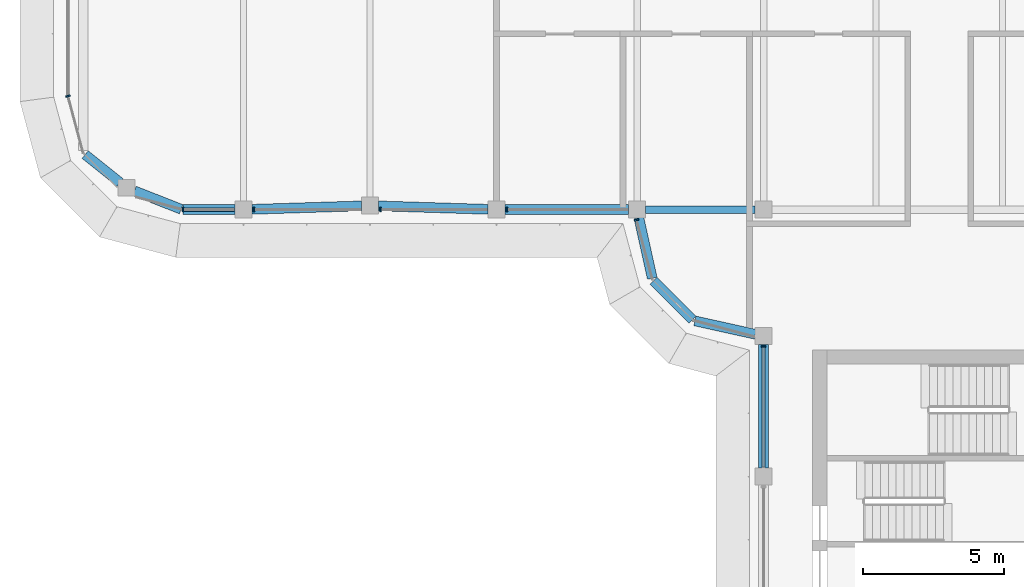
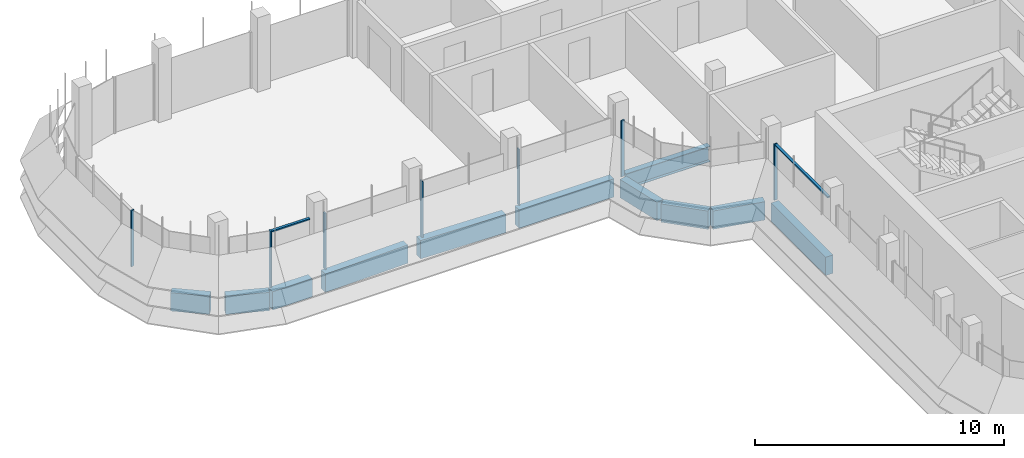
# One storey, part 3 of 19: 11 beams, 9 members, 4 elements without a shape of their own.
"""IFC4 building model written with IfcOpenShell, lengths in metres."""

from ifc_helpers import new_model, si_unit, direction, frame, origin, origin_2d, place, context, subcontext, project, spatial, polyline, rectangle, i_section, outline, extrude, source, transform, mapped, material, material_profile, profile_set, type_object, element, aggregate, save


model = new_model("IFC4")

# Units and contexts
model_context = context("Model", 3, precision=1e-05, world=origin(), true_north=direction((0.0, 1.0)))
body_context = subcontext(model_context, "Body", "Model", "MODEL_VIEW")
ifc_project = project(units=[si_unit("LENGTHUNIT", "METRE"), si_unit("AREAUNIT", "SQUARE_METRE"), si_unit("VOLUMEUNIT", "CUBIC_METRE"), si_unit("PLANEANGLEUNIT", "RADIAN"), si_unit("MASSUNIT", "GRAM", prefix="KILO")], contexts=[model_context])

# Site, building, storey
site_placement = place(None, origin())
site = spatial("IfcSite", under=ifc_project, at=site_placement, CompositionType="ELEMENT")
building_placement = place(site_placement, origin())
building = spatial("IfcBuilding", under=site, at=building_placement, Name="Zarbagh Exchange Tower", CompositionType="ELEMENT")
storey_placement = place(building_placement, frame((0.0, 0.0, 253.60009765625)))
storey = spatial("IfcBuildingStorey", under=building, at=storey_placement, Name="L62", CompositionType="ELEMENT", Elevation=253.60009765625)

# Beams
ifc_material_1 = material(Name="Steel ASTM A992 Gr 50", Category="steel")
ifc_material_profile_1 = material_profile(ifc_material_1, i_section(OverallWidth=0.2666015625, OverallDepth=0.7568359375, WebThickness=0.013916015625, FlangeThickness=0.019287109375, at=origin_2d()), Name="W30X108")
ifc_profile_set_1 = profile_set([ifc_material_profile_1], Name="Steel ASTM A992 Gr 50")
beam_type_1 = type_object("IfcBeamType", Name="Floor girder W30X108", PredefinedType="BEAM", material=ifc_profile_set_1)
beam_1_placement = place(storey_placement, frame((-10.449951171875, -6.25, -0.528564453125), z_axis=(1.0, 0.0, 0.0), x_axis=(0.0, 1.0, 0.0)))
element("IfcBeam", 1, at=beam_1_placement, inside=storey, type_object=beam_type_1, Name="Steel girder", PredefinedType="BEAM", context=body_context, shape_type="SweptSolid", body=[
    extrude(i_section(OverallWidth=0.2666015625, OverallDepth=0.7568359375, WebThickness=0.013916015625, FlangeThickness=0.019287109375, at=origin_2d()), origin(), (0.0, 0.0, 1.0), 3.89990234375),
])
ifc_material_2 = material(Name="Concrete C40/50", Category="concrete")
ifc_material_profile_2 = material_profile(ifc_material_2, rectangle(XDim=0.35009765625, YDim=0.89990234375, at=origin_2d()), Name="RC spandrel beam 350 x 900 C40/50")
ifc_profile_set_2 = profile_set([ifc_material_profile_2], Name="Concrete C40/50")
beam_type_2 = type_object("IfcBeamType", Name="RC spandrel beam 350 x 900 C40/50", PredefinedType="SPANDREL", material=ifc_profile_set_2)
beam_2_placement = place(storey_placement, frame((-6.25, -15.449951171875, -0.60009765625), z_axis=(0.0, 1.0, 0.0), x_axis=(-1.0, 0.0, 0.0)))
element("IfcBeam", 2, at=beam_2_placement, inside=storey, type_object=beam_type_2, Name="RC spandrel beam", PredefinedType="SPANDREL", context=body_context, shape_type="SweptSolid", body=[
    extrude(rectangle(XDim=0.35009765625, YDim=0.89990234375, at=origin_2d()), origin(), (0.0, 0.0, 1.0), 4.39990234375),
])
beam_3_placement = place(storey_placement, frame((-6.54296875, -10.685302734375, -0.60009765625), z_axis=(-0.976387662047, 0.216025770228, 0.0), x_axis=(-0.216025770228, -0.976387662047, 0.0)))
element("IfcBeam", 3, at=beam_3_placement, inside=storey, type_object=beam_type_2, Name="RC spandrel beam", PredefinedType="SPANDREL", context=body_context, shape_type="SweptSolid", body=[
    extrude(rectangle(XDim=0.35009765625, YDim=0.89990234375, at=origin_2d()), origin(), (0.0, 0.0, 1.0), 2.200439453125),
])
beam_4_placement = place(storey_placement, frame((-8.77734375, -10.16259765625, -0.60009765625), z_axis=(-0.707106781187, 0.707106781187, 0.0), x_axis=(-0.707106781187, -0.707106781187, 0.0)))
element("IfcBeam", 4, at=beam_4_placement, inside=storey, type_object=beam_type_2, Name="RC spandrel beam", PredefinedType="SPANDREL", context=body_context, shape_type="SweptSolid", body=[
    extrude(rectangle(XDim=0.35009765625, YDim=0.89990234375, at=origin_2d()), origin(), (0.0, 0.0, 1.0), 1.958984375),
])
beam_5_placement = place(storey_placement, frame((-10.2099609375, -8.69140625, -0.60009765625), z_axis=(-0.216025770228, 0.976387662047, 0.0), x_axis=(-0.976387662047, -0.216025770228, 0.0)))
element("IfcBeam", 5, at=beam_5_placement, inside=storey, type_object=beam_type_2, Name="RC spandrel beam", PredefinedType="SPANDREL", context=body_context, shape_type="SweptSolid", body=[
    extrude(rectangle(XDim=0.35009765625, YDim=0.89990234375, at=origin_2d()), origin(), (0.0, 0.0, 1.0), 2.200439453125),
])
beam_6_placement = place(storey_placement, frame((-11.050048828125, -6.25, -0.60009765625), z_axis=(-1.0, 0.0, 0.0), x_axis=(0.0, -1.0, 0.0)))
element("IfcBeam", 6, at=beam_6_placement, inside=storey, type_object=beam_type_2, Name="RC spandrel beam", PredefinedType="SPANDREL", context=body_context, shape_type="SweptSolid", body=[
    extrude(rectangle(XDim=0.35009765625, YDim=0.89990234375, at=origin_2d()), origin(), (0.0, 0.0, 1.0), 4.39990234375),
])
for number, where, z_axis, x_axis, name in (
    (7, (-16.0498046875, -6.24072265625, -0.60009765625), (-0.999516460907, 0.031094121249, 0.0), (-0.031094121249, -0.999516460907, 0.0), "RC spandrel beam"),
    (8, (-20.5498046875, -6.119384765625, -0.60009765625), (-0.999516460907, -0.031094121249, 0.0), (0.031094121249, -0.999516460907, 0.0), "RC spandrel beam"),
):
    element("IfcBeam", number, at=place(storey_placement, frame(where, z_axis=z_axis, x_axis=x_axis)), inside=storey, type_object=beam_type_2, Name=name, PredefinedType="SPANDREL", context=body_context, shape_type="SweptSolid", body=[
        extrude(rectangle(XDim=0.35009765625, YDim=0.89990234375, at=origin_2d()), origin(), (0.0, 0.0, 1.0), 3.90234375),
    ])
beam_7_placement = place(storey_placement, frame((-25.050048828125, -6.25, -0.60009765625), z_axis=(-1.0, 0.0, 0.0), x_axis=(0.0, -1.0, 0.0)))
element("IfcBeam", 9, at=beam_7_placement, inside=storey, type_object=beam_type_2, Name="RC spandrel beam", PredefinedType="SPANDREL", context=body_context, shape_type="SweptSolid", body=[
    extrude(rectangle(XDim=0.35009765625, YDim=0.89990234375, at=origin_2d()), origin(), (0.0, 0.0, 1.0), 1.850830078125),
])
beam_8_placement = place(storey_placement, frame((-26.965087890625, -6.23779296875, -0.60009765625), z_axis=(-0.930859366381, 0.365377667655, 0.0), x_axis=(-0.365377667655, -0.930859366381, 0.0)))
element("IfcBeam", 10, at=beam_8_placement, inside=storey, type_object=beam_type_2, Name="RC spandrel beam", PredefinedType="SPANDREL", context=body_context, shape_type="SweptSolid", body=[
    extrude(rectangle(XDim=0.35009765625, YDim=0.89990234375, at=origin_2d()), origin(), (0.0, 0.0, 1.0), 1.787353515625),
])
beam_9_placement = place(storey_placement, frame((-29.14208984375, -5.28759765625, -0.60009765625), z_axis=(-0.780584122498, 0.625050740104, 0.0), x_axis=(-0.625050740104, -0.780584122498, 0.0)))
element("IfcBeam", 11, at=beam_9_placement, inside=storey, type_object=beam_type_2, Name="RC spandrel beam", PredefinedType="SPANDREL", context=body_context, shape_type="SweptSolid", body=[
    extrude(rectangle(XDim=0.35009765625, YDim=0.89990234375, at=origin_2d()), origin(), (0.0, 0.0, 1.0), 1.590087890625),
])

# Curtain wall, member
ifc_material_3 = material(Name="Anodised aluminium frame and glazing", Category="aluminium")
curtain_wall_type = type_object("IfcCurtainWallType", Name="CWB Ribbon glazing, upper zones", PredefinedType="NOTDEFINED", material=ifc_material_3)
curtain_wall_1_placement = place(storey_placement, origin())
curtain_wall_1 = element("IfcCurtainWall", 12, at=curtain_wall_1_placement, inside=storey, type_object=curtain_wall_type, Name="CWB62 curtain wall", PredefinedType="NOTDEFINED")
ifc_material_4 = material(Name="Anodised aluminium frame", Category="aluminium")
member_type_1 = type_object("IfcMemberType", Name="MUB Mullion, anodised aluminium frame", PredefinedType="MULLION", material=ifc_material_4)
shared_shape_1 = source(origin(), body_context, "Body", "SweptSolid", [
    extrude(outline(polyline([(0.0, -0.080078125), (0.06005859375, -0.080078125), (0.06005859375, 0.080078125), (0.0, 0.080078125), (0.0, -0.080078125)])), origin(), (0.0, 0.0, 1.0), 2.75),
])
placement = place(storey_placement, origin())
member_1 = element("IfcMember", 13, at=placement, type_object=member_type_1, Name="CWB62 mullion 1.1", PredefinedType="MULLION", context=body_context, shape_type="MappedRepresentation", body=[
    mapped(shared_shape_1, transform((-31.0, -2.18408203125, 0.0), x_axis=(0.258824779902, -0.965924289636, 0.0), y_axis=(0.965924289636, 0.258824779902, 0.0), z_axis=(0.0, 0.0, 1.0))),
])
aggregate(curtain_wall_1, [member_1])

# Curtain wall, members
curtain_wall_2_placement = place(storey_placement, origin())
curtain_wall_2 = element("IfcCurtainWall", 14, at=curtain_wall_2_placement, inside=storey, type_object=curtain_wall_type, Name="CWB65 curtain wall", PredefinedType="NOTDEFINED")
member_2 = element("IfcMember", 15, at=placement, type_object=member_type_1, Name="CWB65 mullion 1.1", PredefinedType="MULLION", context=body_context, shape_type="MappedRepresentation", body=[
    mapped(shared_shape_1, transform((-26.93408203125, -6.25, 0.0), x_axis=(1.0, 0.0, 0.0), y_axis=(0.0, 1.0, 0.0), z_axis=(0.0, 0.0, 1.0))),
])
member_3 = element("IfcMember", 16, at=placement, type_object=member_type_1, Name="CWB65 mullion 2.1", PredefinedType="MULLION", context=body_context, shape_type="MappedRepresentation", body=[
    mapped(shared_shape_1, transform((-24.409912109375, -6.25, 0.0), x_axis=(1.0, 0.0, 0.0), y_axis=(0.0, 1.0, 0.0), z_axis=(0.0, 0.0, 1.0))),
])
member_4 = element("IfcMember", 17, at=placement, type_object=member_type_1, Name="CWB65 mullion 3.1", PredefinedType="MULLION", context=body_context, shape_type="MappedRepresentation", body=[
    mapped(shared_shape_1, transform((-19.909912109375, -6.25, 0.0), x_axis=(1.0, 0.0, 0.0), y_axis=(0.0, 1.0, 0.0), z_axis=(0.0, 0.0, 1.0))),
])
member_5 = element("IfcMember", 18, at=placement, type_object=member_type_1, Name="CWB65 mullion 4.1", PredefinedType="MULLION", context=body_context, shape_type="MappedRepresentation", body=[
    mapped(shared_shape_1, transform((-15.409912109375, -6.25, 0.0), x_axis=(1.0, 0.0, 0.0), y_axis=(0.0, 1.0, 0.0), z_axis=(0.0, 0.0, 1.0))),
])

# Curtain wall, member
curtain_wall_3_placement = place(storey_placement, origin())
curtain_wall_3 = element("IfcCurtainWall", 19, at=curtain_wall_3_placement, inside=storey, type_object=curtain_wall_type, Name="CWB41 curtain wall", PredefinedType="NOTDEFINED")
member_6 = element("IfcMember", 20, at=placement, type_object=member_type_1, Name="CWB41 mullion 1.1", PredefinedType="MULLION", context=body_context, shape_type="MappedRepresentation", body=[
    mapped(shared_shape_1, transform((-10.775146484375, -6.590087890625, 0.0), x_axis=(0.258824779902, -0.965924289636, 0.0), y_axis=(0.965924289636, 0.258824779902, 0.0), z_axis=(0.0, 0.0, 1.0))),
])
aggregate(curtain_wall_3, [member_6])

curtain_wall_4_placement = place(storey_placement, origin())
curtain_wall_4 = element("IfcCurtainWall", 21, at=curtain_wall_4_placement, inside=storey, type_object=curtain_wall_type, Name="CWB53 curtain wall", PredefinedType="NOTDEFINED")
member_7 = element("IfcMember", 22, at=placement, type_object=member_type_1, Name="CWB53 mullion 1.1", PredefinedType="MULLION", context=body_context, shape_type="MappedRepresentation", body=[
    mapped(shared_shape_1, transform((-6.25, -11.090087890625, 0.0), x_axis=(0.0, -1.0, 0.0), y_axis=(1.0, 0.0, 0.0), z_axis=(0.0, 0.0, 1.0))),
])

# Member
member_type_2 = type_object("IfcMemberType", Name="TRB Transom, anodised aluminium frame", PredefinedType="USERDEFINED", material=ifc_material_4)
shared_shape_2 = source(origin(), body_context, "Body", "SweptSolid", [
    extrude(outline(polyline([(-0.06005859375, -0.06005859375), (0.0, -0.06005859375), (0.0, 0.06005859375), (-0.06005859375, 0.06005859375), (-0.06005859375, -0.06005859375)])), origin(), (0.0, 0.0, 1.0), 1.7841796875),
])
member_8 = element("IfcMember", 23, at=placement, type_object=member_type_2, Name="CWB65 transom 1.1", ObjectType="TRANSOM", PredefinedType="USERDEFINED", context=body_context, shape_type="MappedRepresentation", body=[
    mapped(shared_shape_2, transform((-26.874267578125, -6.25, 2.75), x_axis=(0.0, 0.0, 1.0), y_axis=(0.0, -1.0, 0.0), z_axis=(1.0, 0.0, 0.0))),
])

aggregate(curtain_wall_2, [member_2, member_8, member_3, member_4, member_5])

shared_shape_3 = source(origin(), body_context, "Body", "SweptSolid", [
    extrude(outline(polyline([(-0.06005859375, -0.06005859375), (0.0, -0.06005859375), (0.0, 0.06005859375), (-0.06005859375, 0.06005859375), (-0.06005859375, -0.06005859375)])), origin(), (0.0, 0.0, 1.0), 4.260009765625),
])
member_9 = element("IfcMember", 24, at=placement, type_object=member_type_2, Name="CWB53 transom 1.1", ObjectType="TRANSOM", PredefinedType="USERDEFINED", context=body_context, shape_type="MappedRepresentation", body=[
    mapped(shared_shape_3, transform((-6.25, -11.150146484375, 2.75), x_axis=(0.0, 0.0, 1.0), y_axis=(-1.0, 0.0, 0.0), z_axis=(0.0, -1.0, 0.0))),
])

aggregate(curtain_wall_4, [member_7, member_9])

save(model, "model.ifc")
